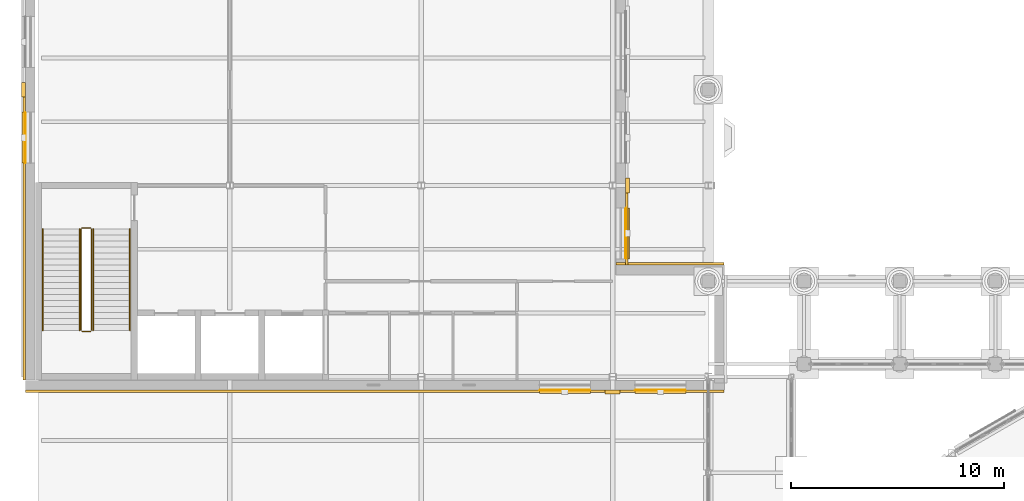
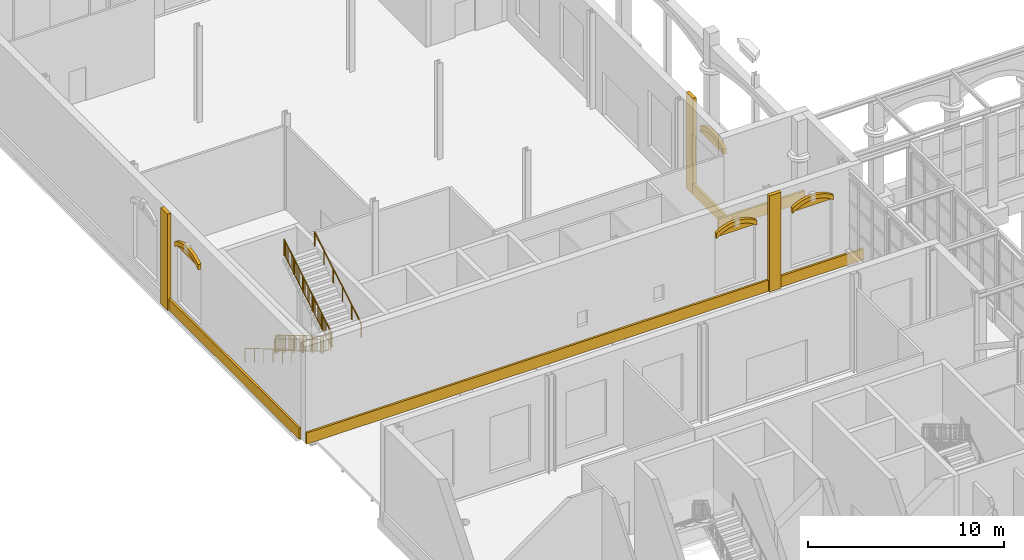
# One storey, part 94 of 106: 16 coverings, 8 railings.
"""IFC4 building model written with IfcOpenShell, lengths in metres."""

import ifcopenshell
import ifcopenshell.guid

model = None  # the IFC model being written
_history = None  # IfcOwnerHistory: only IFC2X3 demands one
_inside = {}  # id of a spatial element -> (the spatial element, [elements in it])
_under = {}  # id of a project, library or spatial element -> (it, [spatial elements below it])
_declared = {}  # id of a project -> (the project, [libraries it declares])
_typed = {}  # id of a type object -> (the type object, [elements of that type])
_made_of = {}  # id of a material, layer set ... -> (it, [elements and type objects made of it])


def new_model(schema):
    """Start an empty IFC model of exactly this schema.

    Asked for "IFC4X3", IfcOpenShell would pick the latest addendum, in which some entities
    have other attributes; the version numbers below select the first issue.
    IFC2X3 requires an IfcOwnerHistory on every rooted entity: one is made here for all.
    """
    global model, _history
    if schema == "IFC4X3":
        model = ifcopenshell.file(schema_version=(4, 3, 0, 0))
    else:
        model = ifcopenshell.file(schema=schema)
    _inside.clear()
    _under.clear()
    _declared.clear()
    _typed.clear()
    _made_of.clear()
    _history = None
    if model.schema == "IFC2X3":
        org = make("IfcOrganization", Name="unknown")
        user = make(
            "IfcPersonAndOrganization",
            ThePerson=make("IfcPerson", FamilyName="unknown"),
            TheOrganization=org,
        )
        app = make(
            "IfcApplication",
            ApplicationDeveloper=org,
            Version="unknown",
            ApplicationFullName="unknown",
            ApplicationIdentifier="unknown",
        )
        _history = make(
            "IfcOwnerHistory",
            OwningUser=user,
            OwningApplication=app,
            ChangeAction="ADDED",
            CreationDate=0,
        )
    return model


def make(cls, **values):
    """One entity of the class cls with the attributes given. An attribute that is None is left unset."""
    return model.create_entity(
        cls, **{name: value for name, value in values.items() if value is not None}
    )


def rooted(cls, **values):
    """An entity with a GlobalId (a new one), such as an element, a storey or a relation."""
    return make(cls, GlobalId=ifcopenshell.guid.new(), OwnerHistory=_history, **values)


def si_unit(unit_type, name, prefix=None):
    """IfcSIUnit, for example si_unit("LENGTHUNIT", "METRE", prefix="MILLI")."""
    return make("IfcSIUnit", UnitType=unit_type, Prefix=prefix, Name=name)


def assignment(units):
    """IfcUnitAssignment: the units of a project."""
    return None if units is None else make("IfcUnitAssignment", Units=units)


def point(xyz):
    """IfcCartesianPoint."""
    return None if xyz is None else make("IfcCartesianPoint", Coordinates=xyz)


def direction(xyz):
    """IfcDirection."""
    return None if xyz is None else make("IfcDirection", DirectionRatios=xyz)


def frame(location, z_axis=None, x_axis=None):
    """IfcAxis2Placement3D, a coordinate frame: its origin and axes. An axis left out is left unset."""
    return make(
        "IfcAxis2Placement3D",
        Location=point(location),
        Axis=direction(z_axis),
        RefDirection=direction(x_axis),
    )


def frame_2d(location, x_axis=None):
    """IfcAxis2Placement2D, a coordinate frame in the plane: its origin and x axis."""
    return make(
        "IfcAxis2Placement2D", Location=point(location), RefDirection=direction(x_axis)
    )


def origin():
    """The frame at (0, 0, 0) with its axes left unset."""
    return frame((0.0, 0.0, 0.0))


def origin_2d():
    """The frame at (0, 0) in the plane with its x axis left unset."""
    return frame_2d((0.0, 0.0))


def place(relative_to, where):
    """IfcLocalPlacement: puts the frame where relative to a parent placement (None: the world)."""
    return make(
        "IfcLocalPlacement", PlacementRelTo=relative_to, RelativePlacement=where
    )


def context(
    kind, dimensions, precision=None, world=None, true_north=None, identifier=None
):
    """IfcGeometricRepresentationContext, for example the 3D "Model" context."""
    return make(
        "IfcGeometricRepresentationContext",
        ContextIdentifier=identifier,
        ContextType=kind,
        CoordinateSpaceDimension=dimensions,
        Precision=precision,
        WorldCoordinateSystem=world,
        TrueNorth=true_north,
    )


def subcontext(parent, identifier, kind, view, scale=None):
    """IfcGeometricRepresentationSubContext, for example "Body" below "Model"."""
    return make(
        "IfcGeometricRepresentationSubContext",
        ContextIdentifier=identifier,
        ContextType=kind,
        ParentContext=parent,
        TargetScale=scale,
        TargetView=view,
    )


def project(units=None, contexts=None):
    """IfcProject with its units and contexts."""
    return rooted(
        "IfcProject",
        Name="project",
        RepresentationContexts=contexts,
        UnitsInContext=assignment(units),
    )


def spatial(cls, under=None, at=None, **own):
    """A site, building, storey or space (cls), placed at a placement, below another one or the project."""
    s = rooted(cls, ObjectPlacement=at, **own)
    if under is not None:
        _under.setdefault(under.id(), (under, []))[1].append(s)
    return s


def polyline(points):
    """IfcPolyline through the points."""
    return make("IfcPolyline", Points=[point(p) for p in points])


def profile(cls, at=None, kind="AREA", **sizes):
    """A parametric profile (cls). Its sizes go by their IFC names, for example OverallWidth=200.0."""
    return make(cls, ProfileType=kind, Position=at, **sizes)


def rectangle(**sizes):
    """IfcRectangleProfileDef."""
    return profile("IfcRectangleProfileDef", **sizes)


def circle(**sizes):
    """IfcCircleProfileDef."""
    return profile("IfcCircleProfileDef", **sizes)


def outline(outer, holes=None, kind="AREA"):
    """IfcArbitraryClosedProfileDef: a profile drawn as a closed curve; with holes, ...WithVoids."""
    if holes is None:
        return make("IfcArbitraryClosedProfileDef", ProfileType=kind, OuterCurve=outer)
    return make(
        "IfcArbitraryProfileDefWithVoids",
        ProfileType=kind,
        OuterCurve=outer,
        InnerCurves=holes,
    )


def extrude(swept, where, along, depth):
    """IfcExtrudedAreaSolid: the profile swept, set in the frame where, extruded along a direction by depth."""
    return make(
        "IfcExtrudedAreaSolid",
        SweptArea=swept,
        Position=where,
        ExtrudedDirection=direction(along),
        Depth=depth,
    )


def shape(context_of_items, identifier, shape_type, items):
    """IfcShapeRepresentation: the items that make up one representation, for example the "Body"."""
    return make(
        "IfcShapeRepresentation",
        ContextOfItems=context_of_items,
        RepresentationIdentifier=identifier,
        RepresentationType=shape_type,
        Items=items,
    )


def material(Name=None, Category=None):
    """IfcMaterial."""
    return make("IfcMaterial", Name=Name, Category=Category)


def layer(
    of_material, thickness, ventilated=None, Name=None, Category=None, Priority=None
):
    """IfcMaterialLayer: one layer of a wall or slab, of a material (None: an air gap)."""
    return make(
        "IfcMaterialLayer",
        Material=of_material,
        LayerThickness=thickness,
        IsVentilated=ventilated,
        Name=Name,
        Category=Category,
        Priority=Priority,
    )


def layer_set(layers, Name=None):
    """IfcMaterialLayerSet."""
    return make("IfcMaterialLayerSet", MaterialLayers=layers, LayerSetName=Name)


def made_of(thing, what):
    """Note that an element or type object is made of a material, layer set ...; save() writes the relation."""
    if what is not None:
        _made_of.setdefault(what.id(), (what, []))[1].append(thing)
    return thing


def type_object(cls, material=None, **own):
    """A type object (cls), such as IfcWallType, which elements share."""
    return made_of(rooted(cls, **own), material)


def element(
    cls,
    number,
    at=None,
    inside=None,
    cuts=None,
    type_object=None,
    material=None,
    context=None,
    identifier="Body",
    shape_type=None,
    held_by="IfcProductDefinitionShape",
    body=None,
    shapes=None,
    **own,
):
    """One element of the class cls, such as IfcWall. Its Tag is "e" and its number.

    at: its placement. inside: the storey or other place that contains it. cuts: it is an
    opening in that element (IfcRelVoidsElement). A single representation is given by context,
    identifier, shape_type and body (its items); several are given by shapes. held_by: the class
    of the entity that holds the representations. save() writes the other relations.
    """
    e = rooted(cls, Tag="e%d" % number, ObjectPlacement=at, **own)
    if body is not None:
        shapes = [shape(context, identifier, shape_type, body)]
    if shapes is not None:
        e.Representation = make(held_by, Representations=shapes)
    if inside is not None:
        _inside.setdefault(inside.id(), (inside, []))[1].append(e)
    if cuts is not None:
        rooted(
            "IfcRelVoidsElement", RelatingBuildingElement=cuts, RelatedOpeningElement=e
        )
    if type_object is not None:
        _typed.setdefault(type_object.id(), (type_object, []))[1].append(e)
    return made_of(e, material)


def aggregate(whole, parts):
    """IfcRelAggregates: a whole, such as a stair, and the parts it consists of."""
    return rooted("IfcRelAggregates", RelatingObject=whole, RelatedObjects=parts)


def save(model, path):
    """Write the relations noted so far, then the file.

    IfcRelAggregates (storeys below a building ...), IfcRelContainedInSpatialStructure (elements
    in a storey), IfcRelDefinesByType, IfcRelAssociatesMaterial and IfcRelDeclares: one each for
    every whole, place, type object, material and project.
    """
    for whole, parts in _under.values():
        aggregate(whole, parts)
    for where, things in _inside.values():
        rooted(
            "IfcRelContainedInSpatialStructure",
            RelatedElements=things,
            RelatingStructure=where,
        )
    for kind, things in _typed.values():
        rooted("IfcRelDefinesByType", RelatedObjects=things, RelatingType=kind)
    for what, things in _made_of.values():
        rooted("IfcRelAssociatesMaterial", RelatedObjects=things, RelatingMaterial=what)
    for by, libraries in _declared.values():
        rooted("IfcRelDeclares", RelatingContext=by, RelatedDefinitions=libraries)
    model.write(path)


model = new_model("IFC4")

# Units and contexts
model_context = context("Model", 3, precision=1e-05, world=origin(), true_north=direction((0.0, 1.0)))
body_context = subcontext(model_context, "Body", "Model", "MODEL_VIEW")
ifc_project = project(units=[si_unit("LENGTHUNIT", "METRE"), si_unit("AREAUNIT", "SQUARE_METRE"), si_unit("VOLUMEUNIT", "CUBIC_METRE"), si_unit("PLANEANGLEUNIT", "RADIAN"), si_unit("MASSUNIT", "GRAM", prefix="KILO")], contexts=[model_context])

# Site, building, storey
site_placement = place(None, origin())
site = spatial("IfcSite", under=ifc_project, at=site_placement, CompositionType="ELEMENT")
building_placement = place(site_placement, origin())
building = spatial("IfcBuilding", under=site, at=building_placement, Name="Hortulan Conservatory and Botanical Research Centre", CompositionType="ELEMENT")
storey_placement = place(building_placement, origin())
storey = spatial("IfcBuildingStorey", under=building, at=storey_placement, Name="L00", CompositionType="ELEMENT", Elevation=0.0)

# Coverings
ifc_material_1 = material(Name="Sandstone masonry (Hawkesbury yellow block)", Category="masonry")
ifc_layer_1 = layer(ifc_material_1, 0.1201171875)
ifc_layer_set_1 = layer_set([ifc_layer_1], Name="Rusticated Sandstone Base Course 700x120")
covering_type_1 = type_object("IfcCoveringType", Name="Rusticated Sandstone Base Course 700x120", PredefinedType="CLADDING", material=ifc_layer_set_1)
covering_1_placement = place(storey_placement, frame((29.784912109375, 35.32958984375, 0.0), z_axis=(0.0, 0.0, 1.0), x_axis=(-1.0, 0.0, 0.0)))
element("IfcCovering", 1, at=covering_1_placement, inside=storey, type_object=covering_type_1, Name="String course", PredefinedType="CLADDING", context=body_context, shape_type="SweptSolid", body=[
    extrude(rectangle(XDim=4.929931640625, YDim=0.1201171875, at=origin_2d()), origin(), (0.0, 0.0, 1.0), 0.699951171875),
])
covering_2_placement = place(storey_placement, frame((13.03759765625, 35.32958984375, 0.0), z_axis=(0.0, 0.0, 1.0), x_axis=(-1.0, 0.0, 0.0)))
element("IfcCovering", 2, at=covering_2_placement, inside=storey, type_object=covering_type_1, Name="String course", PredefinedType="CLADDING", context=body_context, shape_type="SweptSolid", body=[
    extrude(rectangle(XDim=27.284423828125, YDim=0.1201171875, at=origin_2d()), origin(), (0.0, 0.0, 1.0), 0.699951171875),
])
covering_3_placement = place(storey_placement, frame((-0.66455078125, 42.5126953125, 0.0), z_axis=(0.0, 0.0, 1.0), x_axis=(0.0, 1.0, 0.0)))
element("IfcCovering", 3, at=covering_3_placement, inside=storey, type_object=covering_type_1, Name="String course", PredefinedType="CLADDING", context=body_context, shape_type="SweptSolid", body=[
    extrude(rectangle(XDim=13.33447265625, YDim=0.1201171875, at=origin_2d()), origin(), (0.0, 0.0, 1.0), 0.699951171875),
])
covering_4_placement = place(storey_placement, frame((27.66455078125, 42.965087890625, 0.0), z_axis=(0.0, 0.0, 1.0), x_axis=(0.0, -1.0, 0.0)))
element("IfcCovering", 4, at=covering_4_placement, inside=storey, type_object=covering_type_1, Name="String course", PredefinedType="CLADDING", context=body_context, shape_type="SweptSolid", body=[
    extrude(rectangle(XDim=3.429931640625, YDim=0.1201171875, at=origin_2d()), origin(), (0.0, 0.0, 1.0), 0.699951171875),
])
covering_5_placement = place(storey_placement, frame((29.7021484375, 41.31005859375, 0.0), z_axis=(0.0, 0.0, 1.0), x_axis=(1.0, 0.0, 0.0)))
element("IfcCovering", 5, at=covering_5_placement, inside=storey, type_object=covering_type_1, Name="String course", PredefinedType="CLADDING", context=body_context, shape_type="SweptSolid", body=[
    extrude(rectangle(XDim=5.095458984375, YDim=0.1201171875, at=origin_2d()), origin(), (0.0, 0.0, 1.0), 0.699951171875),
])
ifc_layer_2 = layer(ifc_material_1, 0.179931640625)
ifc_layer_set_2 = layer_set([ifc_layer_2], Name="Sandstone Arch Band 250")
covering_type_2 = type_object("IfcCoveringType", Name="Sandstone Arch Band 250", PredefinedType="CLADDING", material=ifc_layer_set_2)
for number, where, z_axis, x_axis, name in (
    (6, (25.949951171875, 35.299560546875, 4.39990234375), (0.0, 0.0, 1.0), (-1.0, 0.0, 0.0), "Arched window head"),
    (7, (30.449951171875, 35.299560546875, 4.39990234375), (0.0, 0.0, 1.0), (-1.0, 0.0, 0.0), "Arched window head"),
    (8, (-0.694580078125, 46.050048828125, 4.39990234375), (0.0, 0.0, 1.0), (0.0, 1.0, 0.0), "Arched window head"),
    (9, (27.694580078125, 43.949951171875, 4.39990234375), (0.0, 0.0, 1.0), (0.0, -1.0, 0.0), "Arched window head"),
):
    element("IfcCovering", number, at=place(storey_placement, frame(where, z_axis=z_axis, x_axis=x_axis)), inside=storey, type_object=covering_type_2, Name=name, PredefinedType="CLADDING", context=body_context, shape_type="SweptSolid", body=[
        extrude(outline(polyline([(0.0, 0.0), (0.239990234375, 0.17724609375), (0.47998046875, 0.302001953125), (0.719970703125, 0.3857421875), (0.9599609375, 0.434326171875), (1.199951171875, 0.4501953125), (1.43994140625, 0.434326171875), (1.679931640625, 0.3857421875), (1.919921875, 0.302001953125), (2.159912109375, 0.17724609375), (2.39990234375, 0.0), (2.39990234375, 0.31787109375), (2.159912109375, 0.464599609375), (1.919921875, 0.5712890625), (1.679931640625, 0.643798828125), (1.43994140625, 0.686279296875), (1.199951171875, 0.7001953125), (0.9599609375, 0.686279296875), (0.719970703125, 0.643798828125), (0.47998046875, 0.5712890625), (0.239990234375, 0.464599609375), (0.0, 0.31787109375), (0.0, 0.0)])), frame((0.0, 0.08984375, 0.0), z_axis=(0.0, -1.0, 0.0), x_axis=(1.0, 0.0, 0.0)), (0.0, 0.0, 1.0), 0.179931640625),
    ])
ifc_layer_3 = layer(ifc_material_1, 0.199951171875)
ifc_layer_set_3 = layer_set([ifc_layer_3], Name="Sandstone Pilaster 700x200")
covering_type_3 = type_object("IfcCoveringType", Name="Sandstone Pilaster 700x200", PredefinedType="CLADDING", material=ifc_layer_set_3)
for number, where, z_axis, x_axis, name in (
    (10, (27.0, 35.28955078125, 0.0), (0.0, 0.0, 1.0), (-1.0, 0.0, 0.0), "Pier"),
    (11, (-0.70458984375, 49.5, 0.0), (0.0, 0.0, 1.0), (0.0, 1.0, 0.0), "Pier"),
    (12, (27.70458984375, 45.0, 0.0), (0.0, 0.0, 1.0), (0.0, -1.0, 0.0), "Pier"),
):
    element("IfcCovering", number, at=place(storey_placement, frame(where, z_axis=z_axis, x_axis=x_axis)), inside=storey, type_object=covering_type_3, Name=name, PredefinedType="CLADDING", context=body_context, shape_type="SweptSolid", body=[
        extrude(rectangle(XDim=0.699951171875, YDim=0.199951171875, at=origin_2d()), origin(), (0.0, 0.0, 1.0), 6.0),
    ])

# Railings
ifc_material_2 = material(Name="Steel balustrade, bronze-charcoal paint", Category="steel")
railing_type_1 = type_object("IfcRailingType", Name="Stair Guard 1100", PredefinedType="GUARDRAIL", material=ifc_material_2)
railing_1_placement = place(storey_placement, frame((2.0, 42.949951171875, 0.166748046875)))
element("IfcRailing", 13, at=railing_1_placement, inside=storey, type_object=railing_type_1, Name="Guard V1 L00 stair 1", PredefinedType="GUARDRAIL", context=body_context, shape_type="SweptSolid", body=[
    extrude(circle(Radius=0.02392578125, at=origin_2d()), frame((0.0, 0.0, 1.076171875), z_axis=(0.0, -0.859299802514, 0.511472237174), x_axis=(1.0, 0.0, 0.0)), (0.0, 0.0, 1.0), 5.539306640625),
    extrude(circle(Radius=0.02392578125, at=origin_2d()), frame((0.0, 0.0, 0.1240234375), z_axis=(0.0, -0.859299802514, 0.511472237174), x_axis=(1.0, 0.0, 0.0)), (0.0, 0.0, 1.0), 5.539306640625),
    extrude(circle(Radius=0.008056640625, at=origin_2d()), frame((0.0, -0.09326171875, 0.203857421875)), (0.0, 0.0, 1.0), 0.90380859375),
    extrude(circle(Radius=0.008056640625, at=origin_2d()), frame((0.0, -0.186767578125, 0.25927734375)), (0.0, 0.0, 1.0), 0.90380859375),
    extrude(circle(Radius=0.008056640625, at=origin_2d()), frame((0.0, -0.280029296875, 0.31494140625)), (0.0, 0.0, 1.0), 0.90380859375),
    extrude(circle(Radius=0.008056640625, at=origin_2d()), frame((0.0, -0.373291015625, 0.370361328125)), (0.0, 0.0, 1.0), 0.90380859375),
    extrude(circle(Radius=0.008056640625, at=origin_2d()), frame((0.0, -0.466552734375, 0.426025390625)), (0.0, 0.0, 1.0), 0.90380859375),
    extrude(circle(Radius=0.008056640625, at=origin_2d()), frame((0.0, -0.56005859375, 0.4814453125)), (0.0, 0.0, 1.0), 0.90380859375),
    extrude(circle(Radius=0.008056640625, at=origin_2d()), frame((0.0, -0.6533203125, 0.537109375)), (0.0, 0.0, 1.0), 0.90380859375),
    extrude(circle(Radius=0.008056640625, at=origin_2d()), frame((0.0, -0.74658203125, 0.592529296875)), (0.0, 0.0, 1.0), 0.90380859375),
    extrude(circle(Radius=0.008056640625, at=origin_2d()), frame((0.0, -0.840087890625, 0.648193359375)), (0.0, 0.0, 1.0), 0.90380859375),
    extrude(circle(Radius=0.008056640625, at=origin_2d()), frame((0.0, -0.933349609375, 0.70361328125)), (0.0, 0.0, 1.0), 0.90380859375),
    extrude(circle(Radius=0.008056640625, at=origin_2d()), frame((0.0, -1.026611328125, 0.75927734375)), (0.0, 0.0, 1.0), 0.90380859375),
    extrude(circle(Radius=0.008056640625, at=origin_2d()), frame((0.0, -1.1201171875, 0.81494140625)), (0.0, 0.0, 1.0), 0.90380859375),
    extrude(circle(Radius=0.008056640625, at=origin_2d()), frame((0.0, -1.21337890625, 0.870361328125)), (0.0, 0.0, 1.0), 0.90380859375),
    extrude(circle(Radius=0.008056640625, at=origin_2d()), frame((0.0, -1.306640625, 0.926025390625)), (0.0, 0.0, 1.0), 0.90380859375),
    extrude(circle(Radius=0.008056640625, at=origin_2d()), frame((0.0, -1.39990234375, 0.9814453125)), (0.0, 0.0, 1.0), 0.90380859375),
    extrude(circle(Radius=0.008056640625, at=origin_2d()), frame((0.0, -1.493408203125, 1.037109375)), (0.0, 0.0, 1.0), 0.90380859375),
    extrude(circle(Radius=0.008056640625, at=origin_2d()), frame((0.0, -1.586669921875, 1.092529296875)), (0.0, 0.0, 1.0), 0.90380859375),
    extrude(circle(Radius=0.008056640625, at=origin_2d()), frame((0.0, -1.679931640625, 1.148193359375)), (0.0, 0.0, 1.0), 0.90380859375),
    extrude(circle(Radius=0.008056640625, at=origin_2d()), frame((0.0, -1.7734375, 1.20361328125)), (0.0, 0.0, 1.0), 0.90380859375),
    extrude(circle(Radius=0.008056640625, at=origin_2d()), frame((0.0, -1.86669921875, 1.25927734375)), (0.0, 0.0, 1.0), 0.90380859375),
    extrude(circle(Radius=0.008056640625, at=origin_2d()), frame((0.0, -1.9599609375, 1.31494140625)), (0.0, 0.0, 1.0), 0.90380859375),
    extrude(circle(Radius=0.008056640625, at=origin_2d()), frame((0.0, -2.05322265625, 1.370361328125)), (0.0, 0.0, 1.0), 0.90380859375),
    extrude(circle(Radius=0.008056640625, at=origin_2d()), frame((0.0, -2.146728515625, 1.426025390625)), (0.0, 0.0, 1.0), 0.90380859375),
    extrude(circle(Radius=0.008056640625, at=origin_2d()), frame((0.0, -2.239990234375, 1.4814453125)), (0.0, 0.0, 1.0), 0.90380859375),
    extrude(circle(Radius=0.008056640625, at=origin_2d()), frame((0.0, -2.333251953125, 1.537109375)), (0.0, 0.0, 1.0), 0.90380859375),
    extrude(circle(Radius=0.008056640625, at=origin_2d()), frame((0.0, -2.4267578125, 1.592529296875)), (0.0, 0.0, 1.0), 0.90380859375),
    extrude(circle(Radius=0.008056640625, at=origin_2d()), frame((0.0, -2.52001953125, 1.648193359375)), (0.0, 0.0, 1.0), 0.90380859375),
    extrude(circle(Radius=0.008056640625, at=origin_2d()), frame((0.0, -2.61328125, 1.70361328125)), (0.0, 0.0, 1.0), 0.90380859375),
    extrude(circle(Radius=0.008056640625, at=origin_2d()), frame((0.0, -2.706787109375, 1.75927734375)), (0.0, 0.0, 1.0), 0.90380859375),
    extrude(circle(Radius=0.008056640625, at=origin_2d()), frame((0.0, -2.800048828125, 1.814697265625)), (0.0, 0.0, 1.0), 0.90380859375),
    extrude(circle(Radius=0.008056640625, at=origin_2d()), frame((0.0, -2.893310546875, 1.870361328125)), (0.0, 0.0, 1.0), 0.90380859375),
    extrude(circle(Radius=0.008056640625, at=origin_2d()), frame((0.0, -2.986572265625, 1.926025390625)), (0.0, 0.0, 1.0), 0.90380859375),
    extrude(circle(Radius=0.008056640625, at=origin_2d()), frame((0.0, -3.080078125, 1.9814453125)), (0.0, 0.0, 1.0), 0.90380859375),
    extrude(circle(Radius=0.008056640625, at=origin_2d()), frame((0.0, -3.17333984375, 2.037109375)), (0.0, 0.0, 1.0), 0.90380859375),
    extrude(circle(Radius=0.008056640625, at=origin_2d()), frame((0.0, -3.2666015625, 2.092529296875)), (0.0, 0.0, 1.0), 0.90380859375),
    extrude(circle(Radius=0.008056640625, at=origin_2d()), frame((0.0, -3.360107421875, 2.148193359375)), (0.0, 0.0, 1.0), 0.90380859375),
    extrude(circle(Radius=0.008056640625, at=origin_2d()), frame((0.0, -3.453369140625, 2.20361328125)), (0.0, 0.0, 1.0), 0.90380859375),
    extrude(circle(Radius=0.008056640625, at=origin_2d()), frame((0.0, -3.546630859375, 2.25927734375)), (0.0, 0.0, 1.0), 0.90380859375),
    extrude(circle(Radius=0.008056640625, at=origin_2d()), frame((0.0, -3.639892578125, 2.314697265625)), (0.0, 0.0, 1.0), 0.90380859375),
    extrude(circle(Radius=0.008056640625, at=origin_2d()), frame((0.0, -3.7333984375, 2.370361328125)), (0.0, 0.0, 1.0), 0.90380859375),
    extrude(circle(Radius=0.008056640625, at=origin_2d()), frame((0.0, -3.82666015625, 2.426025390625)), (0.0, 0.0, 1.0), 0.90380859375),
    extrude(circle(Radius=0.008056640625, at=origin_2d()), frame((0.0, -3.919921875, 2.4814453125)), (0.0, 0.0, 1.0), 0.90380859375),
    extrude(circle(Radius=0.008056640625, at=origin_2d()), frame((0.0, -4.013427734375, 2.537109375)), (0.0, 0.0, 1.0), 0.90380859375),
    extrude(circle(Radius=0.008056640625, at=origin_2d()), frame((0.0, -4.106689453125, 2.592529296875)), (0.0, 0.0, 1.0), 0.90380859375),
    extrude(circle(Radius=0.008056640625, at=origin_2d()), frame((0.0, -4.199951171875, 2.648193359375)), (0.0, 0.0, 1.0), 0.90380859375),
    extrude(circle(Radius=0.008056640625, at=origin_2d()), frame((0.0, -4.29345703125, 2.70361328125)), (0.0, 0.0, 1.0), 0.90380859375),
    extrude(circle(Radius=0.008056640625, at=origin_2d()), frame((0.0, -4.38671875, 2.75927734375)), (0.0, 0.0, 1.0), 0.90380859375),
    extrude(circle(Radius=0.008056640625, at=origin_2d()), frame((0.0, -4.47998046875, 2.814697265625)), (0.0, 0.0, 1.0), 0.90380859375),
    extrude(circle(Radius=0.008056640625, at=origin_2d()), frame((0.0, -4.5732421875, 2.870361328125)), (0.0, 0.0, 1.0), 0.90380859375),
    extrude(circle(Radius=0.008056640625, at=origin_2d()), frame((0.0, -4.666748046875, 2.92578125)), (0.0, 0.0, 1.0), 0.90380859375),
    extrude(circle(Radius=0.02099609375, at=origin_2d()), origin(), (0.0, 0.0, 1.0), 1.052001953125),
    extrude(circle(Radius=0.02099609375, at=origin_2d()), frame((0.0, -0.951904296875, 0.566650390625)), (0.0, 0.0, 1.0), 1.052001953125),
    extrude(circle(Radius=0.02099609375, at=origin_2d()), frame((0.0, -1.904052734375, 1.13330078125)), (0.0, 0.0, 1.0), 1.052001953125),
    extrude(circle(Radius=0.02099609375, at=origin_2d()), frame((0.0, -2.85595703125, 1.699951171875)), (0.0, 0.0, 1.0), 1.052001953125),
    extrude(circle(Radius=0.02099609375, at=origin_2d()), frame((0.0, -3.80810546875, 2.2666015625)), (0.0, 0.0, 1.0), 1.052001953125),
    extrude(circle(Radius=0.02099609375, at=origin_2d()), frame((0.0, -4.760009765625, 2.833251953125)), (0.0, 0.0, 1.0), 1.052001953125),
])
railing_2_placement = place(storey_placement, frame((2.050048828125, 38.139892578125, 3.0)))
element("IfcRailing", 14, at=railing_2_placement, inside=storey, type_object=railing_type_1, Name="Guard V1 L00 stair 2", PredefinedType="GUARDRAIL", context=body_context, shape_type="SweptSolid", body=[
    extrude(circle(Radius=0.02392578125, at=origin_2d()), frame((0.0, 0.0, 1.076171875), z_axis=(1.0, 0.0, 0.0), x_axis=(0.0, 1.0, 0.0)), (0.0, 0.0, 1.0), 0.39990234375),
    extrude(circle(Radius=0.02392578125, at=origin_2d()), frame((0.0, 0.0, 0.1240234375), z_axis=(1.0, 0.0, 0.0), x_axis=(0.0, 1.0, 0.0)), (0.0, 0.0, 1.0), 0.39990234375),
    extrude(circle(Radius=0.008056640625, at=origin_2d()), frame((0.10009765625, 0.0, 0.148193359375)), (0.0, 0.0, 1.0), 0.90380859375),
    extrude(circle(Radius=0.008056640625, at=origin_2d()), frame((0.199951171875, 0.0, 0.148193359375)), (0.0, 0.0, 1.0), 0.90380859375),
    extrude(circle(Radius=0.008056640625, at=origin_2d()), frame((0.2998046875, 0.0, 0.148193359375)), (0.0, 0.0, 1.0), 0.90380859375),
    extrude(circle(Radius=0.02099609375, at=origin_2d()), origin(), (0.0, 0.0, 1.0), 1.052001953125),
    extrude(circle(Radius=0.02099609375, at=origin_2d()), frame((0.39990234375, 0.0, 0.0)), (0.0, 0.0, 1.0), 1.052001953125),
])
railing_3_placement = place(storey_placement, frame((2.5, 38.18994140625, 3.166748046875)))
element("IfcRailing", 15, at=railing_3_placement, inside=storey, type_object=railing_type_1, Name="Guard V1 L00 stair 3", PredefinedType="GUARDRAIL", context=body_context, shape_type="SweptSolid", body=[
    extrude(circle(Radius=0.02392578125, at=origin_2d()), frame((0.0, 0.0, 1.076171875), z_axis=(0.0, 0.859299802514, 0.511472237174), x_axis=(-1.0, 0.0, 0.0)), (0.0, 0.0, 1.0), 5.539306640625),
    extrude(circle(Radius=0.02392578125, at=origin_2d()), frame((0.0, 0.0, 0.1240234375), z_axis=(0.0, 0.859299802514, 0.511472237174), x_axis=(-1.0, 0.0, 0.0)), (0.0, 0.0, 1.0), 5.539306640625),
    extrude(circle(Radius=0.008056640625, at=origin_2d()), frame((0.0, 0.09326171875, 0.203857421875)), (0.0, 0.0, 1.0), 0.90380859375),
    extrude(circle(Radius=0.008056640625, at=origin_2d()), frame((0.0, 0.186767578125, 0.25927734375)), (0.0, 0.0, 1.0), 0.90380859375),
    extrude(circle(Radius=0.008056640625, at=origin_2d()), frame((0.0, 0.280029296875, 0.31494140625)), (0.0, 0.0, 1.0), 0.90380859375),
    extrude(circle(Radius=0.008056640625, at=origin_2d()), frame((0.0, 0.373291015625, 0.370361328125)), (0.0, 0.0, 1.0), 0.90380859375),
    extrude(circle(Radius=0.008056640625, at=origin_2d()), frame((0.0, 0.466552734375, 0.426025390625)), (0.0, 0.0, 1.0), 0.90380859375),
    extrude(circle(Radius=0.008056640625, at=origin_2d()), frame((0.0, 0.56005859375, 0.4814453125)), (0.0, 0.0, 1.0), 0.90380859375),
    extrude(circle(Radius=0.008056640625, at=origin_2d()), frame((0.0, 0.6533203125, 0.537109375)), (0.0, 0.0, 1.0), 0.90380859375),
    extrude(circle(Radius=0.008056640625, at=origin_2d()), frame((0.0, 0.74658203125, 0.592529296875)), (0.0, 0.0, 1.0), 0.90380859375),
    extrude(circle(Radius=0.008056640625, at=origin_2d()), frame((0.0, 0.840087890625, 0.648193359375)), (0.0, 0.0, 1.0), 0.90380859375),
    extrude(circle(Radius=0.008056640625, at=origin_2d()), frame((0.0, 0.933349609375, 0.70361328125)), (0.0, 0.0, 1.0), 0.90380859375),
    extrude(circle(Radius=0.008056640625, at=origin_2d()), frame((0.0, 1.026611328125, 0.75927734375)), (0.0, 0.0, 1.0), 0.90380859375),
    extrude(circle(Radius=0.008056640625, at=origin_2d()), frame((0.0, 1.1201171875, 0.81494140625)), (0.0, 0.0, 1.0), 0.90380859375),
    extrude(circle(Radius=0.008056640625, at=origin_2d()), frame((0.0, 1.21337890625, 0.870361328125)), (0.0, 0.0, 1.0), 0.90380859375),
    extrude(circle(Radius=0.008056640625, at=origin_2d()), frame((0.0, 1.306640625, 0.926025390625)), (0.0, 0.0, 1.0), 0.90380859375),
    extrude(circle(Radius=0.008056640625, at=origin_2d()), frame((0.0, 1.39990234375, 0.9814453125)), (0.0, 0.0, 1.0), 0.90380859375),
    extrude(circle(Radius=0.008056640625, at=origin_2d()), frame((0.0, 1.493408203125, 1.037109375)), (0.0, 0.0, 1.0), 0.90380859375),
    extrude(circle(Radius=0.008056640625, at=origin_2d()), frame((0.0, 1.586669921875, 1.092529296875)), (0.0, 0.0, 1.0), 0.90380859375),
    extrude(circle(Radius=0.008056640625, at=origin_2d()), frame((0.0, 1.679931640625, 1.148193359375)), (0.0, 0.0, 1.0), 0.90380859375),
    extrude(circle(Radius=0.008056640625, at=origin_2d()), frame((0.0, 1.7734375, 1.20361328125)), (0.0, 0.0, 1.0), 0.90380859375),
    extrude(circle(Radius=0.008056640625, at=origin_2d()), frame((0.0, 1.86669921875, 1.25927734375)), (0.0, 0.0, 1.0), 0.90380859375),
    extrude(circle(Radius=0.008056640625, at=origin_2d()), frame((0.0, 1.9599609375, 1.31494140625)), (0.0, 0.0, 1.0), 0.90380859375),
    extrude(circle(Radius=0.008056640625, at=origin_2d()), frame((0.0, 2.05322265625, 1.370361328125)), (0.0, 0.0, 1.0), 0.90380859375),
    extrude(circle(Radius=0.008056640625, at=origin_2d()), frame((0.0, 2.146728515625, 1.426025390625)), (0.0, 0.0, 1.0), 0.90380859375),
    extrude(circle(Radius=0.008056640625, at=origin_2d()), frame((0.0, 2.239990234375, 1.4814453125)), (0.0, 0.0, 1.0), 0.90380859375),
    extrude(circle(Radius=0.008056640625, at=origin_2d()), frame((0.0, 2.333251953125, 1.537109375)), (0.0, 0.0, 1.0), 0.90380859375),
    extrude(circle(Radius=0.008056640625, at=origin_2d()), frame((0.0, 2.4267578125, 1.592529296875)), (0.0, 0.0, 1.0), 0.90380859375),
    extrude(circle(Radius=0.008056640625, at=origin_2d()), frame((0.0, 2.52001953125, 1.648193359375)), (0.0, 0.0, 1.0), 0.90380859375),
    extrude(circle(Radius=0.008056640625, at=origin_2d()), frame((0.0, 2.61328125, 1.70361328125)), (0.0, 0.0, 1.0), 0.90380859375),
    extrude(circle(Radius=0.008056640625, at=origin_2d()), frame((0.0, 2.706787109375, 1.75927734375)), (0.0, 0.0, 1.0), 0.90380859375),
    extrude(circle(Radius=0.008056640625, at=origin_2d()), frame((0.0, 2.800048828125, 1.814697265625)), (0.0, 0.0, 1.0), 0.90380859375),
    extrude(circle(Radius=0.008056640625, at=origin_2d()), frame((0.0, 2.893310546875, 1.870361328125)), (0.0, 0.0, 1.0), 0.90380859375),
    extrude(circle(Radius=0.008056640625, at=origin_2d()), frame((0.0, 2.986572265625, 1.926025390625)), (0.0, 0.0, 1.0), 0.90380859375),
    extrude(circle(Radius=0.008056640625, at=origin_2d()), frame((0.0, 3.080078125, 1.9814453125)), (0.0, 0.0, 1.0), 0.90380859375),
    extrude(circle(Radius=0.008056640625, at=origin_2d()), frame((0.0, 3.17333984375, 2.037109375)), (0.0, 0.0, 1.0), 0.90380859375),
    extrude(circle(Radius=0.008056640625, at=origin_2d()), frame((0.0, 3.2666015625, 2.092529296875)), (0.0, 0.0, 1.0), 0.90380859375),
    extrude(circle(Radius=0.008056640625, at=origin_2d()), frame((0.0, 3.360107421875, 2.148193359375)), (0.0, 0.0, 1.0), 0.90380859375),
    extrude(circle(Radius=0.008056640625, at=origin_2d()), frame((0.0, 3.453369140625, 2.20361328125)), (0.0, 0.0, 1.0), 0.90380859375),
    extrude(circle(Radius=0.008056640625, at=origin_2d()), frame((0.0, 3.546630859375, 2.25927734375)), (0.0, 0.0, 1.0), 0.90380859375),
    extrude(circle(Radius=0.008056640625, at=origin_2d()), frame((0.0, 3.639892578125, 2.314697265625)), (0.0, 0.0, 1.0), 0.90380859375),
    extrude(circle(Radius=0.008056640625, at=origin_2d()), frame((0.0, 3.7333984375, 2.370361328125)), (0.0, 0.0, 1.0), 0.90380859375),
    extrude(circle(Radius=0.008056640625, at=origin_2d()), frame((0.0, 3.82666015625, 2.426025390625)), (0.0, 0.0, 1.0), 0.90380859375),
    extrude(circle(Radius=0.008056640625, at=origin_2d()), frame((0.0, 3.919921875, 2.4814453125)), (0.0, 0.0, 1.0), 0.90380859375),
    extrude(circle(Radius=0.008056640625, at=origin_2d()), frame((0.0, 4.013427734375, 2.537109375)), (0.0, 0.0, 1.0), 0.90380859375),
    extrude(circle(Radius=0.008056640625, at=origin_2d()), frame((0.0, 4.106689453125, 2.592529296875)), (0.0, 0.0, 1.0), 0.90380859375),
    extrude(circle(Radius=0.008056640625, at=origin_2d()), frame((0.0, 4.199951171875, 2.648193359375)), (0.0, 0.0, 1.0), 0.90380859375),
    extrude(circle(Radius=0.008056640625, at=origin_2d()), frame((0.0, 4.29345703125, 2.70361328125)), (0.0, 0.0, 1.0), 0.90380859375),
    extrude(circle(Radius=0.008056640625, at=origin_2d()), frame((0.0, 4.38671875, 2.75927734375)), (0.0, 0.0, 1.0), 0.90380859375),
    extrude(circle(Radius=0.008056640625, at=origin_2d()), frame((0.0, 4.47998046875, 2.814697265625)), (0.0, 0.0, 1.0), 0.90380859375),
    extrude(circle(Radius=0.008056640625, at=origin_2d()), frame((0.0, 4.5732421875, 2.870361328125)), (0.0, 0.0, 1.0), 0.90380859375),
    extrude(circle(Radius=0.008056640625, at=origin_2d()), frame((0.0, 4.666748046875, 2.92578125)), (0.0, 0.0, 1.0), 0.90380859375),
    extrude(circle(Radius=0.02099609375, at=origin_2d()), origin(), (0.0, 0.0, 1.0), 1.052001953125),
    extrude(circle(Radius=0.02099609375, at=origin_2d()), frame((0.0, 0.951904296875, 0.566650390625)), (0.0, 0.0, 1.0), 1.052001953125),
    extrude(circle(Radius=0.02099609375, at=origin_2d()), frame((0.0, 1.904052734375, 1.13330078125)), (0.0, 0.0, 1.0), 1.052001953125),
    extrude(circle(Radius=0.02099609375, at=origin_2d()), frame((0.0, 2.85595703125, 1.699951171875)), (0.0, 0.0, 1.0), 1.052001953125),
    extrude(circle(Radius=0.02099609375, at=origin_2d()), frame((0.0, 3.80810546875, 2.2666015625)), (0.0, 0.0, 1.0), 1.052001953125),
    extrude(circle(Radius=0.02099609375, at=origin_2d()), frame((0.0, 4.760009765625, 2.833251953125)), (0.0, 0.0, 1.0), 1.052001953125),
])
railing_4_placement = place(storey_placement, frame((2.050048828125, 43.0, 0.0)))
element("IfcRailing", 16, at=railing_4_placement, inside=storey, type_object=railing_type_1, Name="Guard V1 L00 stair 4", PredefinedType="GUARDRAIL", context=body_context, shape_type="SweptSolid", body=[
    extrude(circle(Radius=0.02392578125, at=origin_2d()), frame((0.0, 0.0, 1.076171875), z_axis=(1.0, 0.0, 0.0), x_axis=(0.0, 1.0, 0.0)), (0.0, 0.0, 1.0), 0.39990234375),
    extrude(circle(Radius=0.02392578125, at=origin_2d()), frame((0.0, 0.0, 0.1240234375), z_axis=(1.0, 0.0, 0.0), x_axis=(0.0, 1.0, 0.0)), (0.0, 0.0, 1.0), 0.39990234375),
    extrude(circle(Radius=0.008056640625, at=origin_2d()), frame((0.10009765625, 0.0, 0.148193359375)), (0.0, 0.0, 1.0), 0.90380859375),
    extrude(circle(Radius=0.008056640625, at=origin_2d()), frame((0.199951171875, 0.0, 0.148193359375)), (0.0, 0.0, 1.0), 0.90380859375),
    extrude(circle(Radius=0.008056640625, at=origin_2d()), frame((0.2998046875, 0.0, 0.148193359375)), (0.0, 0.0, 1.0), 0.90380859375),
    extrude(circle(Radius=0.02099609375, at=origin_2d()), origin(), (0.0, 0.0, 1.0), 1.052001953125),
    extrude(circle(Radius=0.02099609375, at=origin_2d()), frame((0.39990234375, 0.0, 0.0)), (0.0, 0.0, 1.0), 1.052001953125),
])
ifc_material_3 = material(Name="Bronze handrail, polished", Category="metal")
railing_type_2 = type_object("IfcRailingType", Name="Stair Handrail 900", PredefinedType="HANDRAIL", material=ifc_material_3)
railing_5_placement = place(storey_placement, frame((0.199951171875, 42.949951171875, 0.166748046875)))
element("IfcRailing", 17, at=railing_5_placement, inside=storey, type_object=railing_type_2, Name="Handrail V1 L00 stair 1", PredefinedType="HANDRAIL", context=body_context, shape_type="SweptSolid", body=[
    extrude(circle(Radius=0.02392578125, at=origin_2d()), frame((0.0, 0.0, 0.8759765625), z_axis=(0.0, -0.859299802514, 0.511472237174), x_axis=(1.0, 0.0, 0.0)), (0.0, 0.0, 1.0), 5.539306640625),
    extrude(circle(Radius=0.02099609375, at=origin_2d()), origin(), (0.0, 0.0, 1.0), 0.851806640625),
    extrude(circle(Radius=0.02099609375, at=origin_2d()), frame((0.0, -0.951904296875, 0.566650390625)), (0.0, 0.0, 1.0), 0.851806640625),
    extrude(circle(Radius=0.02099609375, at=origin_2d()), frame((0.0, -1.904052734375, 1.13330078125)), (0.0, 0.0, 1.0), 0.851806640625),
    extrude(circle(Radius=0.02099609375, at=origin_2d()), frame((0.0, -2.85595703125, 1.699951171875)), (0.0, 0.0, 1.0), 0.851806640625),
    extrude(circle(Radius=0.02099609375, at=origin_2d()), frame((0.0, -3.80810546875, 2.2666015625)), (0.0, 0.0, 1.0), 0.851806640625),
    extrude(circle(Radius=0.02099609375, at=origin_2d()), frame((0.0, -4.760009765625, 2.833251953125)), (0.0, 0.0, 1.0), 0.851806640625),
])
railing_6_placement = place(storey_placement, frame((4.300048828125, 38.18994140625, 3.166748046875)))
element("IfcRailing", 18, at=railing_6_placement, inside=storey, type_object=railing_type_2, Name="Handrail V1 L00 stair 2", PredefinedType="HANDRAIL", context=body_context, shape_type="SweptSolid", body=[
    extrude(circle(Radius=0.02392578125, at=origin_2d()), frame((0.0, 0.0, 0.8759765625), z_axis=(0.0, 0.859299802514, 0.511472237174), x_axis=(-1.0, 0.0, 0.0)), (0.0, 0.0, 1.0), 5.539306640625),
    extrude(circle(Radius=0.02099609375, at=origin_2d()), origin(), (0.0, 0.0, 1.0), 0.851806640625),
    extrude(circle(Radius=0.02099609375, at=origin_2d()), frame((0.0, 0.951904296875, 0.566650390625)), (0.0, 0.0, 1.0), 0.851806640625),
    extrude(circle(Radius=0.02099609375, at=origin_2d()), frame((0.0, 1.904052734375, 1.13330078125)), (0.0, 0.0, 1.0), 0.851806640625),
    extrude(circle(Radius=0.02099609375, at=origin_2d()), frame((0.0, 2.85595703125, 1.699951171875)), (0.0, 0.0, 1.0), 0.851806640625),
    extrude(circle(Radius=0.02099609375, at=origin_2d()), frame((0.0, 3.80810546875, 2.2666015625)), (0.0, 0.0, 1.0), 0.851806640625),
    extrude(circle(Radius=0.02099609375, at=origin_2d()), frame((0.0, 4.760009765625, 2.833251953125)), (0.0, 0.0, 1.0), 0.851806640625),
])
railing_7_placement = place(storey_placement, frame((1.929931640625, 42.949951171875, 0.166748046875)))
element("IfcRailing", 19, at=railing_7_placement, inside=storey, type_object=railing_type_2, Name="Handrail V1 L00 stair 3", PredefinedType="HANDRAIL", context=body_context, shape_type="SweptSolid", body=[
    extrude(circle(Radius=0.02392578125, at=origin_2d()), frame((0.0, 0.0, 0.8759765625), z_axis=(0.0, -0.859299802514, 0.511472237174), x_axis=(1.0, 0.0, 0.0)), (0.0, 0.0, 1.0), 5.539306640625),
    extrude(circle(Radius=0.02099609375, at=origin_2d()), origin(), (0.0, 0.0, 1.0), 0.851806640625),
    extrude(circle(Radius=0.02099609375, at=origin_2d()), frame((0.0, -0.951904296875, 0.566650390625)), (0.0, 0.0, 1.0), 0.851806640625),
    extrude(circle(Radius=0.02099609375, at=origin_2d()), frame((0.0, -1.904052734375, 1.13330078125)), (0.0, 0.0, 1.0), 0.851806640625),
    extrude(circle(Radius=0.02099609375, at=origin_2d()), frame((0.0, -2.85595703125, 1.699951171875)), (0.0, 0.0, 1.0), 0.851806640625),
    extrude(circle(Radius=0.02099609375, at=origin_2d()), frame((0.0, -3.80810546875, 2.2666015625)), (0.0, 0.0, 1.0), 0.851806640625),
    extrude(circle(Radius=0.02099609375, at=origin_2d()), frame((0.0, -4.760009765625, 2.833251953125)), (0.0, 0.0, 1.0), 0.851806640625),
])
railing_8_placement = place(storey_placement, frame((2.570068359375, 38.18994140625, 3.166748046875)))
element("IfcRailing", 20, at=railing_8_placement, inside=storey, type_object=railing_type_2, Name="Handrail V1 L00 stair 4", PredefinedType="HANDRAIL", context=body_context, shape_type="SweptSolid", body=[
    extrude(circle(Radius=0.02392578125, at=origin_2d()), frame((0.0, 0.0, 0.8759765625), z_axis=(0.0, 0.859299802514, 0.511472237174), x_axis=(-1.0, 0.0, 0.0)), (0.0, 0.0, 1.0), 5.539306640625),
    extrude(circle(Radius=0.02099609375, at=origin_2d()), origin(), (0.0, 0.0, 1.0), 0.851806640625),
    extrude(circle(Radius=0.02099609375, at=origin_2d()), frame((0.0, 0.951904296875, 0.566650390625)), (0.0, 0.0, 1.0), 0.851806640625),
    extrude(circle(Radius=0.02099609375, at=origin_2d()), frame((0.0, 1.904052734375, 1.13330078125)), (0.0, 0.0, 1.0), 0.851806640625),
    extrude(circle(Radius=0.02099609375, at=origin_2d()), frame((0.0, 2.85595703125, 1.699951171875)), (0.0, 0.0, 1.0), 0.851806640625),
    extrude(circle(Radius=0.02099609375, at=origin_2d()), frame((0.0, 3.80810546875, 2.2666015625)), (0.0, 0.0, 1.0), 0.851806640625),
    extrude(circle(Radius=0.02099609375, at=origin_2d()), frame((0.0, 4.760009765625, 2.833251953125)), (0.0, 0.0, 1.0), 0.851806640625),
])

# Coverings
ifc_material_4 = material(Name="Faience cladding, harbour teal glaze (non-combustible)", Category="ceramic")
ifc_layer_4 = layer(ifc_material_4, 0.0400390625)
ifc_layer_set_4 = layer_set([ifc_layer_4], Name="Teal Faience Tympanum 40")
covering_type_4 = type_object("IfcCoveringType", Name="Teal Faience Tympanum 40", PredefinedType="CLADDING", material=ifc_layer_set_4)
for number, where, z_axis, x_axis, name in (
    (21, (25.949951171875, 35.369384765625, 4.39990234375), (0.0, 0.0, 1.0), (-1.0, 0.0, 0.0), "Faience tympanum"),
    (22, (30.449951171875, 35.369384765625, 4.39990234375), (0.0, 0.0, 1.0), (-1.0, 0.0, 0.0), "Faience tympanum"),
    (23, (-0.62451171875, 46.050048828125, 4.39990234375), (0.0, 0.0, 1.0), (0.0, 1.0, 0.0), "Faience tympanum"),
    (24, (27.62451171875, 43.949951171875, 4.39990234375), (0.0, 0.0, 1.0), (0.0, -1.0, 0.0), "Faience tympanum"),
):
    element("IfcCovering", number, at=place(storey_placement, frame(where, z_axis=z_axis, x_axis=x_axis)), inside=storey, type_object=covering_type_4, Name=name, PredefinedType="CLADDING", context=body_context, shape_type="SweptSolid", body=[
        extrude(outline(polyline([(0.0, 0.0), (0.239990234375, 0.17724609375), (0.47998046875, 0.302001953125), (0.719970703125, 0.3857421875), (0.9599609375, 0.434326171875), (1.199951171875, 0.4501953125), (1.43994140625, 0.434326171875), (1.679931640625, 0.3857421875), (1.919921875, 0.302001953125), (2.159912109375, 0.17724609375), (2.39990234375, 0.0), (2.39990234375, 0.0), (0.0, 0.0), (0.0, 0.0)])), frame((0.0, 0.02001953125, 0.0), z_axis=(0.0, -1.0, 0.0), x_axis=(1.0, 0.0, 0.0)), (0.0, 0.0, 1.0), 0.0400390625),
    ])

save(model, "model.ifc")
